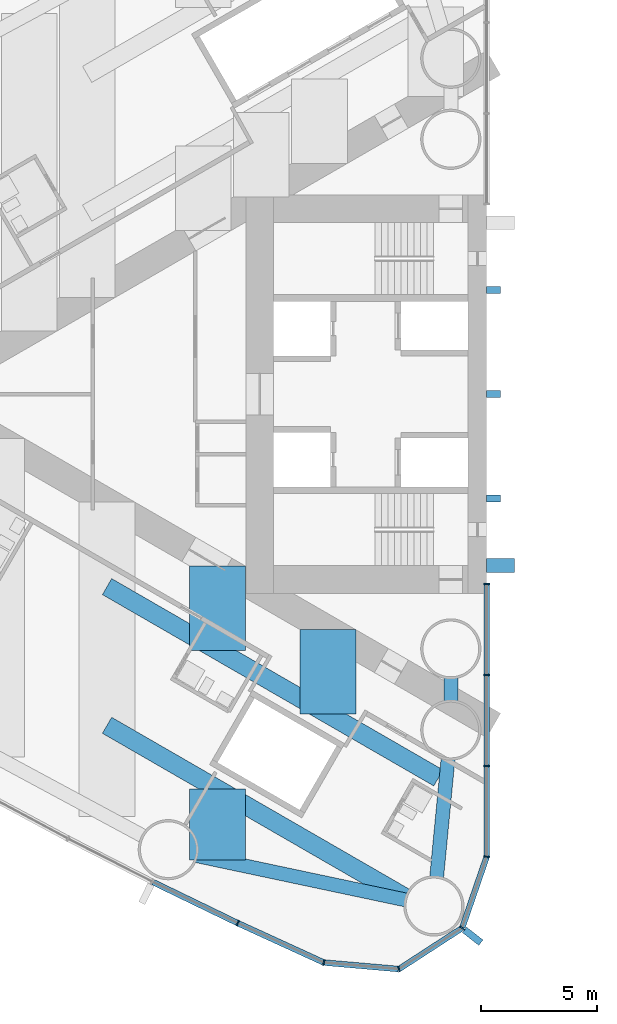
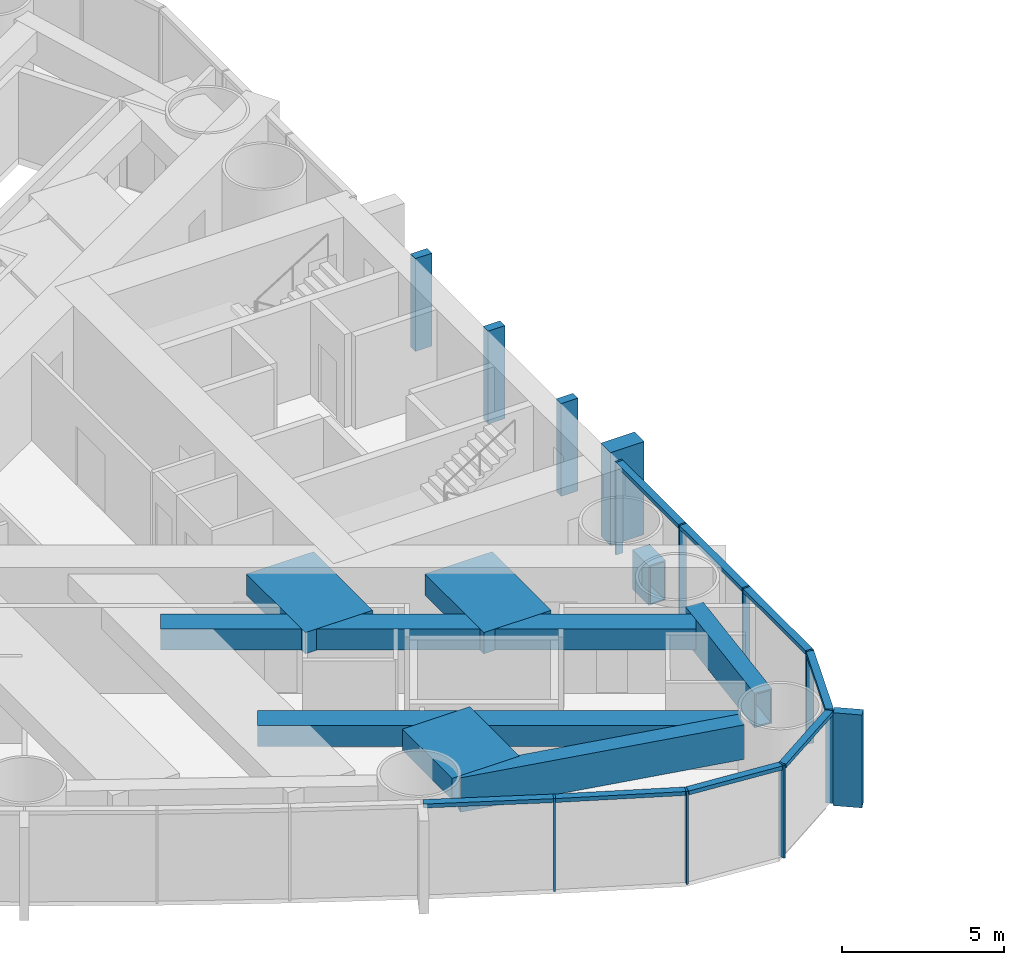
# One storey, part 3 of 19: 21 members, 8 beams, 1 element without a shape of its own.
"""IFC4 building model written with IfcOpenShell, lengths in metres."""

from ifc_helpers import new_model, si_unit, direction, frame, origin, origin_2d, place, context, subcontext, project, spatial, rectangle, hollow_rectangle, extrude, material, material_profile, profile_set, type_object, element, aggregate, save


model = new_model("IFC4")

# Units and contexts
model_context = context("Model", 3, precision=1e-05, world=origin(), true_north=direction((0.0, 1.0)))
body_context = subcontext(model_context, "Body", "Model", "MODEL_VIEW")
ifc_project = project(units=[si_unit("LENGTHUNIT", "METRE"), si_unit("AREAUNIT", "SQUARE_METRE"), si_unit("VOLUMEUNIT", "CUBIC_METRE"), si_unit("PLANEANGLEUNIT", "RADIAN"), si_unit("MASSUNIT", "GRAM", prefix="KILO")], contexts=[model_context])

# Site, building, storey
site_placement = place(None, origin())
site = spatial("IfcSite", under=ifc_project, at=site_placement, CompositionType="ELEMENT")
building_placement = place(site_placement, origin())
building = spatial("IfcBuilding", under=site, at=building_placement, Name="Lancet Gate Hotel", CompositionType="ELEMENT")
storey_placement = place(building_placement, frame((0.0, 0.0, 90.60009765625)))
storey = spatial("IfcBuildingStorey", under=building, at=storey_placement, Name="L23", CompositionType="ELEMENT", Elevation=90.60009765625)

# Curtain wall, members
ifc_material_1 = material(Name="Aluminium curtain wall", Category="aluminium")
curtain_wall_type = type_object("IfcCurtainWallType", Name="Tower unitised curtain wall", PredefinedType="USERDEFINED", material=ifc_material_1)
curtain_wall_placement = place(storey_placement, origin())
curtain_wall = element("IfcCurtainWall", 1, at=curtain_wall_placement, inside=storey, type_object=curtain_wall_type, Name="T1 L23 curtain wall 1", ObjectType="UNITISED CURTAIN WALL", PredefinedType="USERDEFINED")
ifc_material_2 = material(Name="Aluminium mullion", Category="aluminium")
ifc_material_profile_1 = material_profile(ifc_material_2, rectangle(XDim=0.06494140625, YDim=0.25, at=origin_2d()), Name="MULLION 65x250")
ifc_profile_set_1 = profile_set([ifc_material_profile_1], Name="Aluminium mullion")
member_type_1 = type_object("IfcMemberType", Name="Aluminium mullion 65x250", PredefinedType="MULLION", material=ifc_profile_set_1)
member_1_placement = place(storey_placement, frame((-38.25244140625, -22.83642578125, 0.0), z_axis=(0.0, 0.0, 1.0), x_axis=(0.904719609771, -0.426007544178, 0.0)))
member_1 = element("IfcMember", 2, at=member_1_placement, type_object=member_type_1, Name="T1 L23 curtain wall 1 mullion 29", PredefinedType="MULLION", context=body_context, shape_type="SweptSolid", body=[
    extrude(rectangle(XDim=0.06494140625, YDim=0.25, at=origin_2d()), origin(), (0.0, 0.0, 1.0), 3.5),
])
member_2_placement = place(storey_placement, frame((-34.5322265625, -24.53955078125, 0.0), z_axis=(0.0, 0.0, 1.0), x_axis=(0.961653318232, -0.27426792655, 0.0)))
member_2 = element("IfcMember", 3, at=member_2_placement, type_object=member_type_1, Name="T1 L23 curtain wall 1 mullion 30", PredefinedType="MULLION", context=body_context, shape_type="SweptSolid", body=[
    extrude(rectangle(XDim=0.06494140625, YDim=0.25, at=origin_2d()), origin(), (0.0, 0.0, 1.0), 3.5),
])
member_3_placement = place(storey_placement, frame((-31.289306640625, -24.822265625, 0.0), z_axis=(0.0, 0.0, 1.0), x_axis=(0.970242142288, 0.242136707934, 0.0)))
member_3 = element("IfcMember", 4, at=member_3_placement, type_object=member_type_1, Name="T1 L23 curtain wall 1 mullion 31", PredefinedType="MULLION", context=body_context, shape_type="SweptSolid", body=[
    extrude(rectangle(XDim=0.06494140625, YDim=0.25, at=origin_2d()), origin(), (0.0, 0.0, 1.0), 3.5),
])
member_4_placement = place(storey_placement, frame((-28.5595703125, -23.049072265625, 0.0), z_axis=(0.0, 0.0, 1.0), x_axis=(0.615574240878, 0.788078900851, 0.0)))
member_4 = element("IfcMember", 5, at=member_4_placement, type_object=member_type_1, Name="T1 L23 curtain wall 1 mullion 32", PredefinedType="MULLION", context=body_context, shape_type="SweptSolid", body=[
    extrude(rectangle(XDim=0.06494140625, YDim=0.25, at=origin_2d()), origin(), (0.0, 0.0, 1.0), 3.5),
])
member_5_placement = place(storey_placement, frame((-27.5, -19.97119140625, 0.0), z_axis=(0.0, 0.0, 1.0), x_axis=(0.149634446211, 0.988741388082, 0.0)))
member_5 = element("IfcMember", 6, at=member_5_placement, type_object=member_type_1, Name="T1 L23 curtain wall 1 mullion 33", PredefinedType="MULLION", context=body_context, shape_type="SweptSolid", body=[
    extrude(rectangle(XDim=0.06494140625, YDim=0.25, at=origin_2d()), origin(), (0.0, 0.0, 1.0), 3.5),
])
member_6_placement = place(storey_placement, frame((-27.5, -16.04736328125, 0.0), z_axis=(0.0, 0.0, 1.0), x_axis=(0.0, 1.0, 0.0)))
member_6 = element("IfcMember", 7, at=member_6_placement, type_object=member_type_1, Name="T1 L23 curtain wall 1 mullion 34", PredefinedType="MULLION", context=body_context, shape_type="SweptSolid", body=[
    extrude(rectangle(XDim=0.06494140625, YDim=0.25, at=origin_2d()), origin(), (0.0, 0.0, 1.0), 3.5),
])
member_7_placement = place(storey_placement, frame((-27.5, -12.123779296875, 0.0), z_axis=(0.0, 0.0, 1.0), x_axis=(0.0, 1.0, 0.0)))
member_7 = element("IfcMember", 8, at=member_7_placement, type_object=member_type_1, Name="T1 L23 curtain wall 1 mullion 35", PredefinedType="MULLION", context=body_context, shape_type="SweptSolid", body=[
    extrude(rectangle(XDim=0.06494140625, YDim=0.25, at=origin_2d()), origin(), (0.0, 0.0, 1.0), 3.5),
])
member_8_placement = place(storey_placement, frame((-27.5, -8.199951171875, 0.0), z_axis=(0.0, 0.0, 1.0), x_axis=(0.0, 1.0, 0.0)))
member_8 = element("IfcMember", 9, at=member_8_placement, type_object=member_type_1, Name="T1 L23 curtain wall 1 mullion 36", PredefinedType="MULLION", context=body_context, shape_type="SweptSolid", body=[
    extrude(rectangle(XDim=0.06494140625, YDim=0.25, at=origin_2d()), origin(), (0.0, 0.0, 1.0), 3.5),
])
ifc_material_3 = material(Name="Aluminium transom", Category="aluminium")
ifc_material_profile_2 = material_profile(ifc_material_3, rectangle(XDim=0.25, YDim=0.14990234375, at=origin_2d()), Name="TRANSOM 250x150")
ifc_profile_set_2 = profile_set([ifc_material_profile_2], Name="Aluminium transom")
member_type_2 = type_object("IfcMemberType", Name="Aluminium transom 250x150", PredefinedType="USERDEFINED", material=ifc_profile_set_2)
member_9_placement = place(storey_placement, frame((-41.906005859375, -21.067626953125, 3.4248046875), z_axis=(0.900065677074, -0.435754262117, 0.0), x_axis=(0.435754262117, 0.900065677074, 0.0)))
member_9 = element("IfcMember", 10, at=member_9_placement, type_object=member_type_2, Name="T1 L23 curtain wall 1 transom 28", ObjectType="TRANSOM", PredefinedType="USERDEFINED", context=body_context, shape_type="SweptSolid", body=[
    extrude(rectangle(XDim=0.25, YDim=0.14990234375, at=origin_2d()), origin(), (0.0, 0.0, 1.0), 4.026611328125),
])
member_10_placement = place(storey_placement, frame((-38.222900390625, -22.849853515625, 3.4248046875), z_axis=(0.909252284196, -0.416245460857, 0.0), x_axis=(0.416245460857, 0.909252284196, 0.0)))
member_10 = element("IfcMember", 11, at=member_10_placement, type_object=member_type_2, Name="T1 L23 curtain wall 1 transom 29", ObjectType="TRANSOM", PredefinedType="USERDEFINED", context=body_context, shape_type="SweptSolid", body=[
    extrude(rectangle(XDim=0.25, YDim=0.14990234375, at=origin_2d()), origin(), (0.0, 0.0, 1.0), 4.026611328125),
])
member_11_placement = place(storey_placement, frame((-34.499755859375, -24.542236328125, 3.4248046875), z_axis=(0.996213545522, -0.086940046686, 0.0), x_axis=(0.086940046686, 0.996213545522, 0.0)))
member_11 = element("IfcMember", 12, at=member_11_placement, type_object=member_type_2, Name="T1 L23 curtain wall 1 transom 30", ObjectType="TRANSOM", PredefinedType="USERDEFINED", context=body_context, shape_type="SweptSolid", body=[
    extrude(rectangle(XDim=0.25, YDim=0.14990234375, at=origin_2d()), origin(), (0.0, 0.0, 1.0), 3.18994140625),
])
member_12_placement = place(storey_placement, frame((-31.261962890625, -24.8046875, 3.4248046875), z_axis=(0.838550259452, 0.544824249068, 0.0), x_axis=(-0.544824249068, 0.838550259452, 0.0)))
member_12 = element("IfcMember", 13, at=member_12_placement, type_object=member_type_2, Name="T1 L23 curtain wall 1 transom 31", ObjectType="TRANSOM", PredefinedType="USERDEFINED", context=body_context, shape_type="SweptSolid", body=[
    extrude(rectangle(XDim=0.25, YDim=0.14990234375, at=origin_2d()), origin(), (0.0, 0.0, 1.0), 3.190185546875),
])
member_13_placement = place(storey_placement, frame((-28.549072265625, -23.018310546875, 3.4248046875), z_axis=(0.32553312754, 0.945530635609, 0.0), x_axis=(-0.945530635609, 0.32553312754, 0.0)))
member_13 = element("IfcMember", 14, at=member_13_placement, type_object=member_type_2, Name="T1 L23 curtain wall 1 transom 32", ObjectType="TRANSOM", PredefinedType="USERDEFINED", context=body_context, shape_type="SweptSolid", body=[
    extrude(rectangle(XDim=0.25, YDim=0.14990234375, at=origin_2d()), origin(), (0.0, 0.0, 1.0), 3.1904296875),
])
member_14_placement = place(storey_placement, frame((-27.5, -19.9384765625, 3.4248046875), z_axis=(0.0, 1.0, 0.0), x_axis=(-1.0, 0.0, 0.0)))
member_14 = element("IfcMember", 15, at=member_14_placement, type_object=member_type_2, Name="T1 L23 curtain wall 1 transom 33", ObjectType="TRANSOM", PredefinedType="USERDEFINED", context=body_context, shape_type="SweptSolid", body=[
    extrude(rectangle(XDim=0.25, YDim=0.14990234375, at=origin_2d()), origin(), (0.0, 0.0, 1.0), 3.858642578125),
])
member_15_placement = place(storey_placement, frame((-27.5, -16.014892578125, 3.4248046875), z_axis=(0.0, 1.0, 0.0), x_axis=(-1.0, 0.0, 0.0)))
member_15 = element("IfcMember", 16, at=member_15_placement, type_object=member_type_2, Name="T1 L23 curtain wall 1 transom 34", ObjectType="TRANSOM", PredefinedType="USERDEFINED", context=body_context, shape_type="SweptSolid", body=[
    extrude(rectangle(XDim=0.25, YDim=0.14990234375, at=origin_2d()), origin(), (0.0, 0.0, 1.0), 3.858642578125),
])
member_16_placement = place(storey_placement, frame((-27.5, -12.09130859375, 3.4248046875), z_axis=(0.0, 1.0, 0.0), x_axis=(-1.0, 0.0, 0.0)))
member_16 = element("IfcMember", 17, at=member_16_placement, type_object=member_type_2, Name="T1 L23 curtain wall 1 transom 35", ObjectType="TRANSOM", PredefinedType="USERDEFINED", context=body_context, shape_type="SweptSolid", body=[
    extrude(rectangle(XDim=0.25, YDim=0.14990234375, at=origin_2d()), origin(), (0.0, 0.0, 1.0), 3.85888671875),
])

# Beams
ifc_material_4 = material(Name="Steel S460QL", Category="steel")
ifc_material_profile_3 = material_profile(ifc_material_4, hollow_rectangle(XDim=0.60009765625, YDim=1.300048828125, WallThickness=0.050048828125, at=origin_2d()), Name="BOX 1300x600x50")
ifc_profile_set_3 = profile_set([ifc_material_profile_3], Name="Steel S460QL")
beam_type_1 = type_object("IfcBeamType", Name="Edge beam BOX 1300x600x50", PredefinedType="SPANDREL", material=ifc_profile_set_3)
beam_1_placement = place(storey_placement, frame((-40.022216796875, -19.9248046875, 2.599853515625), z_axis=(0.978280040278, -0.207287632996, 0.0), x_axis=(0.207287632996, 0.978280040278, 0.0)))
element("IfcBeam", 18, at=beam_1_placement, inside=storey, type_object=beam_type_1, Name="T1 edge beam EB2 L23", PredefinedType="SPANDREL", context=body_context, shape_type="SweptSolid", body=[
    extrude(hollow_rectangle(XDim=0.60009765625, YDim=1.300048828125, WallThickness=0.050048828125, at=origin_2d()), origin(), (0.0, 0.0, 1.0), 9.218505859375),
])
beam_2_placement = place(storey_placement, frame((-29.169677734375, -15.744140625, 2.599853515625), z_axis=(-0.095846613906, -0.995396115425, 0.0), x_axis=(0.995396115425, -0.095846613906, 0.0)))
element("IfcBeam", 19, at=beam_2_placement, inside=storey, type_object=beam_type_1, Name="T1 edge beam EB2 L23", PredefinedType="SPANDREL", context=body_context, shape_type="SweptSolid", body=[
    extrude(hollow_rectangle(XDim=0.60009765625, YDim=1.300048828125, WallThickness=0.050048828125, at=origin_2d()), origin(), (0.0, 0.0, 1.0), 5.130126953125),
])

# Member
ifc_material_5 = material(Name="Concrete C60/75", Category="concrete")
ifc_material_profile_4 = material_profile(ifc_material_5, rectangle(XDim=0.60009765625, YDim=1.199951171875, at=origin_2d()), Name="FIN 600x1200")
ifc_profile_set_4 = profile_set([ifc_material_profile_4], Name="Concrete C60/75")
member_type_3 = type_object("IfcMemberType", Name="Exposed concrete buttress pilaster 600x1200", PredefinedType="USERDEFINED", material=ifc_profile_set_4)
member_17_placement = place(storey_placement, frame((-26.909912109375, -7.39990234375, 0.0), z_axis=(0.0, 0.0, 1.0), x_axis=(0.0, 1.0, 0.0)))
element("IfcMember", 20, at=member_17_placement, inside=storey, type_object=member_type_3, Name="T1 buttress pilaster N L23", ObjectType="FIN", PredefinedType="USERDEFINED", context=body_context, shape_type="SweptSolid", body=[
    extrude(rectangle(XDim=0.60009765625, YDim=1.199951171875, at=origin_2d()), origin(), (0.0, 0.0, 1.0), 3.5),
])

ifc_material_6 = material(Name="Precast concrete C50/60", Category="concrete")
ifc_material_profile_5 = material_profile(ifc_material_6, rectangle(XDim=0.300048828125, YDim=0.89990234375, at=origin_2d()), Name="FIN 300x900")
ifc_profile_set_5 = profile_set([ifc_material_profile_5], Name="Precast concrete C50/60")
member_type_4 = type_object("IfcMemberType", Name="Exposed concrete fin 300x900", PredefinedType="USERDEFINED", material=ifc_profile_set_5)
member_18_placement = place(storey_placement, frame((-28.1064453125, -23.40283203125, 0.0), z_axis=(0.0, 0.0, 1.0), x_axis=(0.615574240878, 0.788078900851, 0.0)))
member_18 = element("IfcMember", 21, at=member_18_placement, type_object=member_type_4, Name="T1 L23 curtain wall 1 fin 32", ObjectType="FIN", PredefinedType="USERDEFINED", context=body_context, shape_type="SweptSolid", body=[
    extrude(rectangle(XDim=0.300048828125, YDim=0.89990234375, at=origin_2d()), origin(), (0.0, 0.0, 1.0), 3.5),
])

aggregate(curtain_wall, [member_1, member_2, member_3, member_4, member_18, member_5, member_6, member_7, member_8, member_9, member_10, member_11, member_12, member_13, member_14, member_15, member_16])

# Members
ifc_material_7 = material(Name="Concrete C60/75", Category="concrete")
ifc_material_profile_6 = material_profile(ifc_material_7, rectangle(XDim=0.300048828125, YDim=0.60009765625, at=origin_2d()), Name="FIN 300x600")
ifc_profile_set_6 = profile_set([ifc_material_profile_6], Name="Concrete C60/75")
member_type_5 = type_object("IfcMemberType", Name="Exposed concrete rib 300x600", PredefinedType="USERDEFINED", material=ifc_profile_set_6)
for number, where, z_axis, x_axis, name in (
    (22, (-27.2099609375, 4.5, 0.0), (0.0, 0.0, 1.0), (0.0, 1.0, 0.0), "T1 core rib 1 L23"),
    (23, (-27.2099609375, 0.0, 0.0), (0.0, 0.0, 1.0), (0.0, 1.0, 0.0), "T1 core rib 2 L23"),
    (24, (-27.2099609375, -4.5, 0.0), (0.0, 0.0, 1.0), (0.0, 1.0, 0.0), "T1 core rib 3 L23"),
):
    element("IfcMember", number, at=place(storey_placement, frame(where, z_axis=z_axis, x_axis=x_axis)), inside=storey, type_object=member_type_5, Name=name, ObjectType="FIN", PredefinedType="USERDEFINED", context=body_context, shape_type="SweptSolid", body=[
        extrude(rectangle(XDim=0.300048828125, YDim=0.60009765625, at=origin_2d()), origin(), (0.0, 0.0, 1.0), 3.5),
    ])

# Beams
ifc_material_8 = material(Name="Concrete C50/60", Category="concrete")
ifc_material_profile_7 = material_profile(ifc_material_8, rectangle(XDim=2.39990234375, YDim=0.800048828125, at=origin_2d()), Name="RC 2400x800")
ifc_profile_set_7 = profile_set([ifc_material_profile_7], Name="Concrete C50/60")
beam_type_2 = type_object("IfcBeamType", Name="Floor beam RC 2400x800", PredefinedType="BEAM", material=ifc_profile_set_7)
beam_3_placement = place(storey_placement, frame((-34.353515625, -10.169921875, 2.849853515625), z_axis=(0.0, -1.0, 0.0), x_axis=(1.0, 0.0, 0.0)))
element("IfcBeam", 25, at=beam_3_placement, inside=storey, type_object=beam_type_2, Name="T1 floor beam F03NA L23", PredefinedType="BEAM", context=body_context, shape_type="SweptSolid", body=[
    extrude(rectangle(XDim=2.39990234375, YDim=0.800048828125, at=origin_2d()), origin(), (0.0, 0.0, 1.0), 3.645751953125),
])
beam_4_placement = place(storey_placement, frame((-39.122314453125, -7.41650390625, 2.849853515625), z_axis=(0.0, -1.0, 0.0), x_axis=(1.0, 0.0, 0.0)))
element("IfcBeam", 26, at=beam_4_placement, inside=storey, type_object=beam_type_2, Name="T1 floor beam F06NA L23", PredefinedType="BEAM", context=body_context, shape_type="SweptSolid", body=[
    extrude(rectangle(XDim=2.39990234375, YDim=0.800048828125, at=origin_2d()), origin(), (0.0, 0.0, 1.0), 3.64599609375),
])
beam_5_placement = place(storey_placement, frame((-39.122314453125, -17.0498046875, 2.849853515625), z_axis=(0.0, -1.0, 0.0), x_axis=(1.0, 0.0, 0.0)))
element("IfcBeam", 27, at=beam_5_placement, inside=storey, type_object=beam_type_2, Name="T1 floor beam F06NB L23", PredefinedType="BEAM", context=body_context, shape_type="SweptSolid", body=[
    extrude(rectangle(XDim=2.39990234375, YDim=0.800048828125, at=origin_2d()), origin(), (0.0, 0.0, 1.0), 3.065673828125),
])
ifc_material_9 = material(Name="Steel S460QL", Category="steel")
ifc_material_profile_8 = material_profile(ifc_material_9, hollow_rectangle(XDim=0.60009765625, YDim=1.5, WallThickness=0.050048828125, at=origin_2d()), Name="BOX 1500x600x50")
ifc_profile_set_8 = profile_set([ifc_material_profile_8], Name="Steel S460QL")
beam_type_3 = type_object("IfcBeamType", Name="Inner-face link beam BOX 1500x600x50", PredefinedType="BEAM", material=ifc_profile_set_8)
beam_6_placement = place(storey_placement, frame((-29.050048828125, -12.25, 2.5), z_axis=(0.0, -1.0, 0.0), x_axis=(1.0, 0.0, 0.0)))
element("IfcBeam", 28, at=beam_6_placement, inside=storey, type_object=beam_type_3, Name="T1 inner-face link beam LK1 L23", PredefinedType="BEAM", context=body_context, shape_type="SweptSolid", body=[
    extrude(hollow_rectangle(XDim=0.60009765625, YDim=1.5, WallThickness=0.050048828125, at=origin_2d()), origin(), (0.0, 0.0, 1.0), 1.0),
])
ifc_material_10 = material(Name="Steel S460QL", Category="steel")
ifc_material_profile_9 = material_profile(ifc_material_10, hollow_rectangle(XDim=0.800048828125, YDim=0.800048828125, WallThickness=0.080078125, at=origin_2d()), Name="BOX 800x800x80")
ifc_profile_set_9 = profile_set([ifc_material_profile_9], Name="Steel S460QL")
beam_type_4 = type_object("IfcBeamType", Name="Trimmer beam BOX 800x800x80", PredefinedType="BEAM", material=ifc_profile_set_9)
beam_7_placement = place(storey_placement, frame((-29.58447265625, -16.56884765625, 2.849853515625), z_axis=(-0.866040141834, 0.49997447208, 0.0), x_axis=(-0.49997447208, -0.866040141834, 0.0)))
element("IfcBeam", 29, at=beam_7_placement, inside=storey, type_object=beam_type_4, Name="T1 trimmer beam TR01N L23", PredefinedType="BEAM", context=body_context, shape_type="SweptSolid", body=[
    extrude(hollow_rectangle(XDim=0.800048828125, YDim=0.800048828125, WallThickness=0.080078125, at=origin_2d()), origin(), (0.0, 0.0, 1.0), 16.519775390625),
])
beam_8_placement = place(storey_placement, frame((-30.982421875, -21.7490234375, 2.849853515625), z_axis=(-0.866042392862, 0.4999705729, 0.0), x_axis=(-0.4999705729, -0.866042392862, 0.0)))
element("IfcBeam", 30, at=beam_8_placement, inside=storey, type_object=beam_type_4, Name="T1 trimmer beam TR03N L23", PredefinedType="BEAM", context=body_context, shape_type="SweptSolid", body=[
    extrude(hollow_rectangle(XDim=0.800048828125, YDim=0.800048828125, WallThickness=0.080078125, at=origin_2d()), origin(), (0.0, 0.0, 1.0), 14.90576171875),
])

save(model, "model.ifc")
